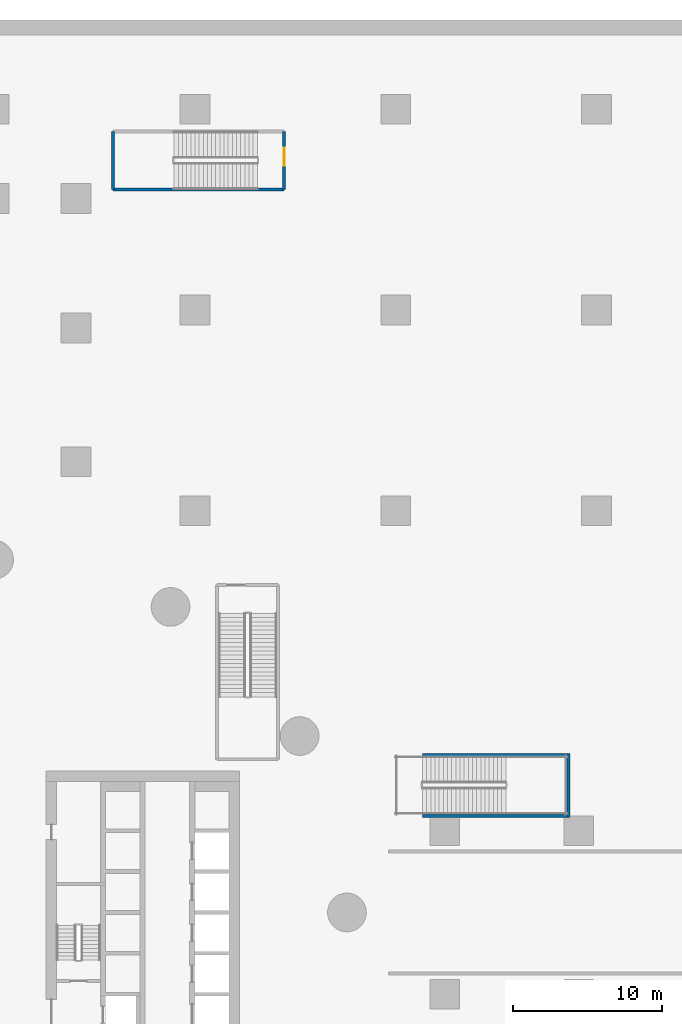
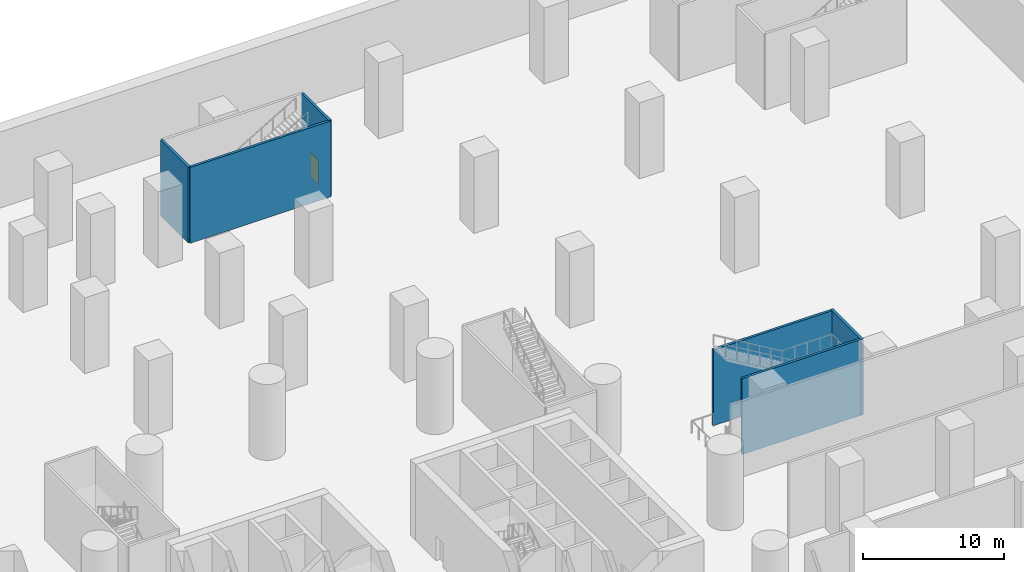
# One storey, part 9 of 30: 6 walls, 1 door, 1 opening.
"""IFC4 building model written with IfcOpenShell, lengths in metres."""

from ifc_helpers import new_model, si_unit, direction, frame, frame_2d, origin, place, context, subcontext, project, spatial, rectangle, extrude, material, layer, layer_set, type_object, element, fill, save


model = new_model("IFC4")

# Units and contexts
model_context = context("Model", 3, precision=1e-05, world=origin(), true_north=direction((0.0, 1.0)))
body_context = subcontext(model_context, "Body", "Model", "MODEL_VIEW")
ifc_project = project(units=[si_unit("LENGTHUNIT", "METRE"), si_unit("AREAUNIT", "SQUARE_METRE"), si_unit("VOLUMEUNIT", "CUBIC_METRE"), si_unit("PLANEANGLEUNIT", "RADIAN"), si_unit("MASSUNIT", "GRAM", prefix="KILO")], contexts=[model_context])

# Site, building, storey
site_placement = place(None, origin())
site = spatial("IfcSite", under=ifc_project, at=site_placement, CompositionType="ELEMENT")
building_placement = place(site_placement, origin())
building = spatial("IfcBuilding", under=site, at=building_placement, Name="Tamarind Cross Interchange Tower", CompositionType="ELEMENT")
storey_placement = place(building_placement, frame((0.0, 0.0, -14.0)))
storey = spatial("IfcBuildingStorey", under=building, at=storey_placement, Name="B2", CompositionType="ELEMENT", Elevation=-14.0)

# Walls
ifc_material_1 = material(Name="Concrete C40", Category="concrete")
ifc_layer_1 = layer(ifc_material_1, 0.199951171875)
ifc_layer_set_1 = layer_set([ifc_layer_1], Name="Concrete C40")
wall_type_1 = type_object("IfcWallType", Name="Stair shaft wall 200", PredefinedType="SOLIDWALL", material=ifc_layer_set_1)
for number, where, z_axis, x_axis, name in (
    (1, (28.800048828125, 6.5, 0.0), (0.0, 0.0, 1.0), (1.0, 0.0, 0.0), "public stair MS-E shaft wall L"),
    (2, (28.800048828125, 10.60009765625, 0.0), (0.0, 0.0, 1.0), (1.0, 0.0, 0.0), "public stair MS-E shaft wall R"),
):
    element("IfcWall", number, at=place(storey_placement, frame(where, z_axis=z_axis, x_axis=x_axis)), inside=storey, type_object=wall_type_1, Name=name, PredefinedType="SOLIDWALL", context=body_context, shape_type="SweptSolid", body=[
        extrude(rectangle(XDim=9.699951171875, YDim=0.199951171875, at=frame_2d((4.85009765625, 0.0))), origin(), (0.0, 0.0, 1.0), 6.550048828125),
    ])
wall_1_placement = place(storey_placement, frame((38.60009765625, 6.39990234375, 0.0), z_axis=(0.0, 0.0, 1.0), x_axis=(0.0, 1.0, 0.0)))
element("IfcWall", 3, at=wall_1_placement, inside=storey, type_object=wall_type_1, Name="public stair MS-E shaft wall F", PredefinedType="SOLIDWALL", context=body_context, shape_type="SweptSolid", body=[
    extrude(rectangle(XDim=4.300048828125, YDim=0.199951171875, at=frame_2d((2.14990234375, 0.0))), origin(), (0.0, 0.0, 1.0), 6.550048828125),
])
ifc_layer_2 = layer(ifc_material_1, 0.199951171875)
ifc_layer_set_2 = layer_set([ifc_layer_2], Name="Concrete C40")
wall_type_2 = type_object("IfcWallType", Name="Stair shaft wall 200 EI 180", PredefinedType="PARTITIONING", material=ifc_layer_set_2)
wall_2_placement = place(storey_placement, frame((8.0, 48.60009765625, 0.0), z_axis=(0.0, 0.0, 1.0), x_axis=(1.0, 0.0, 0.0)))
element("IfcWall", 4, at=wall_2_placement, inside=storey, type_object=wall_type_2, Name="B2 stair shaft wall 33", PredefinedType="PARTITIONING", context=body_context, shape_type="SweptSolid", body=[
    extrude(rectangle(XDim=11.5, YDim=0.199951171875, at=frame_2d((5.75, 0.0))), origin(), (0.0, 0.0, 1.0), 6.550048828125),
])
wall_3_placement = place(storey_placement, frame((8.0, 48.60009765625, 0.0), z_axis=(0.0, 0.0, 1.0), x_axis=(0.0, 1.0, 0.0)))
element("IfcWall", 5, at=wall_3_placement, inside=storey, type_object=wall_type_2, Name="B2 stair shaft wall 34", PredefinedType="PARTITIONING", context=body_context, shape_type="SweptSolid", body=[
    extrude(rectangle(XDim=3.89990234375, YDim=0.199951171875, at=frame_2d((1.949951171875, 0.0))), origin(), (0.0, 0.0, 1.0), 6.550048828125),
])

# Wall, opening, door
wall_4_placement = place(storey_placement, frame((19.5, 48.60009765625, 0.0), z_axis=(0.0, 0.0, 1.0), x_axis=(0.0, 1.0, 0.0)))
wall_4 = element("IfcWall", 6, at=wall_4_placement, inside=storey, type_object=wall_type_2, Name="B2 stair shaft wall 36", PredefinedType="PARTITIONING", context=body_context, shape_type="SweptSolid", body=[
    extrude(rectangle(XDim=3.89990234375, YDim=0.199951171875, at=frame_2d((1.949951171875, 0.0))), origin(), (0.0, 0.0, 1.0), 6.550048828125),
])
opening_placement = place(wall_4_placement, frame((1.610107421875, 0.0, 0.0)))
opening = element("IfcOpeningElement", 7, at=opening_placement, cuts=wall_4, Name="Opening DB2-05", PredefinedType="OPENING", context=body_context, shape_type="SweptSolid", body=[
    extrude(rectangle(XDim=1.199951171875, YDim=2.10009765625, at=frame_2d((0.60009765625, 1.050048828125))), frame((0.0, 0.10986328125, 0.0), z_axis=(0.0, -1.0, 0.0), x_axis=(1.0, 0.0, 0.0)), (0.0, 0.0, 1.0), 0.219970703125),
])
ifc_material_2 = material(Name="Steel, fire-resisting", Category="steel")
door_type = type_object("IfcDoorType", Name="Podium door 1200 x 2100 FD90", OperationType="SINGLE_SWING_LEFT", PredefinedType="DOOR", material=ifc_material_2)
door_placement = place(opening_placement, origin())
door = element("IfcDoor", 8, at=door_placement, inside=storey, type_object=door_type, Name="B2 door Exit Stair PX3", OperationType="SINGLE_SWING_LEFT", OverallHeight=2.10009765625, OverallWidth=1.199951171875, PredefinedType="DOOR", context=body_context, shape_type="SweptSolid", body=[
    extrude(rectangle(XDim=1.199951171875, YDim=2.10009765625, at=frame_2d((0.60009765625, 1.050048828125))), frame((0.0, 0.02490234375, 0.0), z_axis=(0.0, -1.0, 0.0), x_axis=(1.0, 0.0, 0.0)), (0.0, 0.0, 1.0), 0.050048828125),
])
fill(opening, door)

save(model, "model.ifc")
